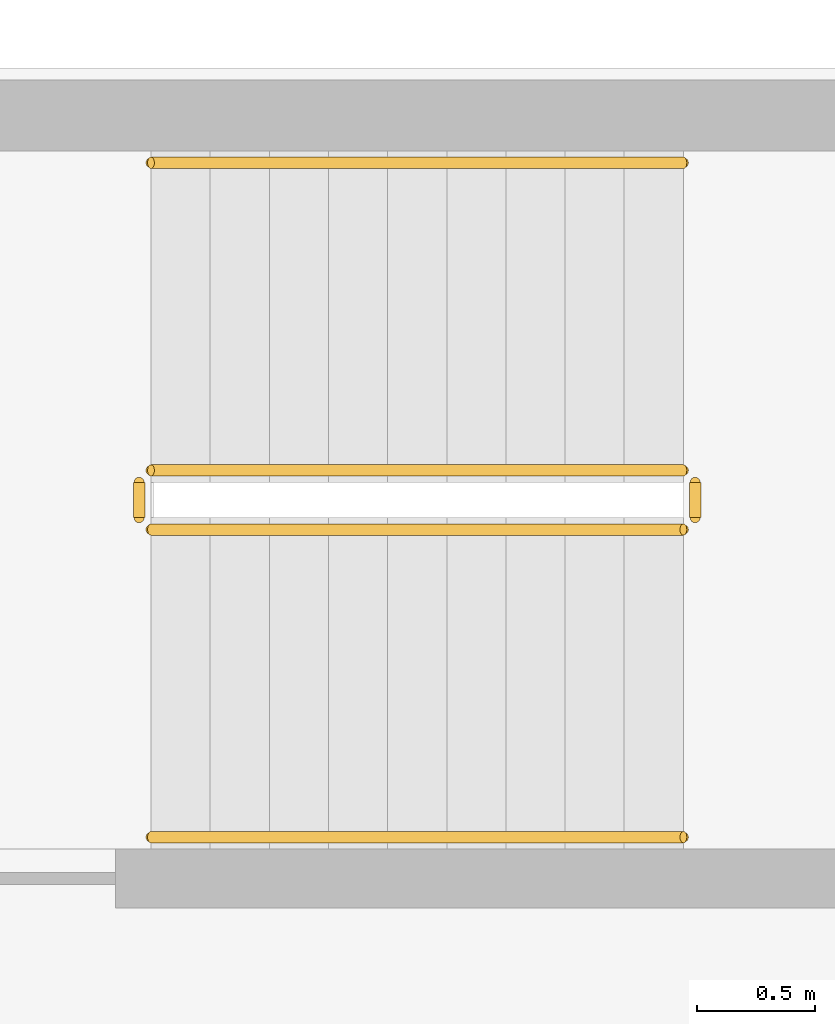
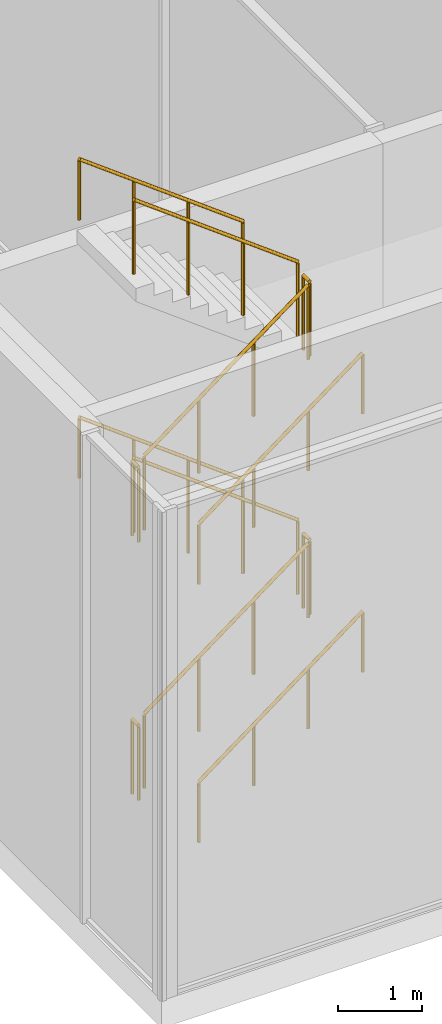
# One storey, part 17 of 18: 12 railings.
"""IFC4 building model written with IfcOpenShell, lengths in metres."""

from ifc_helpers import new_model, si_unit, direction, frame, origin, origin_2d, place, context, subcontext, project, spatial, circle, extrude, source, transform, mapped, material, type_object, element, save


model = new_model("IFC4")

# Units and contexts
model_context = context("Model", 3, precision=1e-05, world=origin(), true_north=direction((0.0, 1.0)))
body_context = subcontext(model_context, "Body", "Model", "MODEL_VIEW")
ifc_project = project(units=[si_unit("LENGTHUNIT", "METRE"), si_unit("AREAUNIT", "SQUARE_METRE"), si_unit("VOLUMEUNIT", "CUBIC_METRE"), si_unit("PLANEANGLEUNIT", "RADIAN"), si_unit("MASSUNIT", "GRAM", prefix="KILO")], contexts=[model_context])

# Site, building, storey
site_placement = place(None, origin())
site = spatial("IfcSite", under=ifc_project, at=site_placement, CompositionType="ELEMENT")
building_placement = place(site_placement, origin())
building = spatial("IfcBuilding", under=site, at=building_placement, Name="Aurelian Terraces", CompositionType="ELEMENT")
storey_placement = place(building_placement, frame((0.0, 0.0, 170.3)))
storey = spatial("IfcBuildingStorey", under=building, at=storey_placement, Name="L37", CompositionType="ELEMENT", Elevation=170.3)

# Railings
ifc_material = material(Name="Stainless steel", Category="steel")
railing_type_1 = type_object("IfcRailingType", Name="Stair guard 1100", PredefinedType="GUARDRAIL", material=ifc_material)
shared_shape_1 = source(origin(), body_context, "Body", "SweptSolid", [
    extrude(circle(Radius=0.024, at=origin_2d()), frame((0.0, 0.0, 1.076), z_axis=(0.0, 1.0, 0.0), x_axis=(-1.0, 0.0, 0.0)), (0.0, 0.0, 1.0), 0.15),
    extrude(circle(Radius=0.021, at=origin_2d()), origin(), (0.0, 0.0, 1.0), 1.052),
    extrude(circle(Radius=0.021, at=origin_2d()), frame((0.0, 0.15, 0.0)), (0.0, 0.0, 1.0), 1.052),
])
for number, where, name in (
    (1, (4.4, 42.05, 1.875), "L37 S3 stair guard 2"),
    (2, (2.05, 42.05, 3.75), "L37 S3 stair guard 4"),
    (3, (4.4, 42.05, 5.625), "L37 S3 stair guard 6"),
    (4, (2.05, 42.05, 0.0), "L37 S3 stair guard 8"),
):
    element("IfcRailing", number, at=place(storey_placement, frame(where)), inside=storey, type_object=railing_type_1, Name=name, PredefinedType="GUARDRAIL", context=body_context, shape_type="MappedRepresentation", body=[
        mapped(shared_shape_1, transform((0.0, 0.0, 0.0), scale=1.0)),
    ])
shared_shape_2 = source(origin(), body_context, "Body", "SweptSolid", [
    extrude(circle(Radius=0.024, at=origin_2d()), frame((0.0, 0.0, 1.076), z_axis=(0.8, 0.0, 0.6), x_axis=(0.0, 1.0, 0.0)), (0.0, 0.0, 1.0), 2.8125),
    extrude(circle(Radius=0.021, at=origin_2d()), origin(), (0.0, 0.0, 1.0), 1.052),
    extrude(circle(Radius=0.021, at=origin_2d()), frame((0.75, 0.0, 0.5625)), (0.0, 0.0, 1.0), 1.052),
    extrude(circle(Radius=0.021, at=origin_2d()), frame((1.5, 0.0, 1.125)), (0.0, 0.0, 1.0), 1.052),
    extrude(circle(Radius=0.021, at=origin_2d()), frame((2.25, 0.0, 1.6875)), (0.0, 0.0, 1.0), 1.052),
])
for number, where, name in (
    (5, (2.1, 42.0, 0.1875), "L37 S3 stair guard 1"),
    (6, (2.1, 42.0, 3.9375), "L37 S3 stair guard 5"),
):
    element("IfcRailing", number, at=place(storey_placement, frame(where)), inside=storey, type_object=railing_type_1, Name=name, PredefinedType="GUARDRAIL", context=body_context, shape_type="MappedRepresentation", body=[
        mapped(shared_shape_2, transform((0.0, 0.0, 0.0), scale=1.0)),
    ])
shared_shape_3 = source(origin(), body_context, "Body", "SweptSolid", [
    extrude(circle(Radius=0.024, at=origin_2d()), frame((0.0, 0.0, 1.076), z_axis=(-0.8, 0.0, 0.6), x_axis=(0.0, -1.0, 0.0)), (0.0, 0.0, 1.0), 2.8125),
    extrude(circle(Radius=0.021, at=origin_2d()), origin(), (0.0, 0.0, 1.0), 1.052),
    extrude(circle(Radius=0.021, at=origin_2d()), frame((-0.75, 0.0, 0.5625)), (0.0, 0.0, 1.0), 1.052),
    extrude(circle(Radius=0.021, at=origin_2d()), frame((-1.5, 0.0, 1.125)), (0.0, 0.0, 1.0), 1.052),
    extrude(circle(Radius=0.021, at=origin_2d()), frame((-2.25, 0.0, 1.6875)), (0.0, 0.0, 1.0), 1.052),
])
for number, where, name in (
    (7, (4.35, 42.25, 2.0625), "L37 S3 stair guard 3"),
    (8, (4.35, 42.25, 5.8125), "L37 S3 stair guard 7"),
):
    element("IfcRailing", number, at=place(storey_placement, frame(where)), inside=storey, type_object=railing_type_1, Name=name, PredefinedType="GUARDRAIL", context=body_context, shape_type="MappedRepresentation", body=[
        mapped(shared_shape_3, transform((0.0, 0.0, 0.0), scale=1.0)),
    ])
railing_type_2 = type_object("IfcRailingType", Name="Stair handrail", PredefinedType="HANDRAIL", material=ifc_material)
shared_shape_4 = source(origin(), body_context, "Body", "SweptSolid", [
    extrude(circle(Radius=0.024, at=origin_2d()), frame((0.0, 0.0, 0.876), z_axis=(0.8, 0.0, 0.6), x_axis=(0.0, 1.0, 0.0)), (0.0, 0.0, 1.0), 2.8125),
    extrude(circle(Radius=0.021, at=origin_2d()), origin(), (0.0, 0.0, 1.0), 0.852),
    extrude(circle(Radius=0.021, at=origin_2d()), frame((0.75, 0.0, 0.5625)), (0.0, 0.0, 1.0), 0.852),
    extrude(circle(Radius=0.021, at=origin_2d()), frame((1.5, 0.0, 1.125)), (0.0, 0.0, 1.0), 0.852),
    extrude(circle(Radius=0.021, at=origin_2d()), frame((2.25, 0.0, 1.6875)), (0.0, 0.0, 1.0), 0.852),
])
for number, where, name in (
    (9, (2.1, 40.7, 0.1875), "L37 S3 stair handrail 1"),
    (10, (2.1, 40.7, 3.9375), "L37 S3 stair handrail 3"),
):
    element("IfcRailing", number, at=place(storey_placement, frame(where)), inside=storey, type_object=railing_type_2, Name=name, PredefinedType="HANDRAIL", context=body_context, shape_type="MappedRepresentation", body=[
        mapped(shared_shape_4, transform((0.0, 0.0, 0.0), scale=1.0)),
    ])
shared_shape_5 = source(origin(), body_context, "Body", "SweptSolid", [
    extrude(circle(Radius=0.024, at=origin_2d()), frame((0.0, 0.0, 0.876), z_axis=(-0.8, 0.0, 0.6), x_axis=(0.0, -1.0, 0.0)), (0.0, 0.0, 1.0), 2.8125),
    extrude(circle(Radius=0.021, at=origin_2d()), origin(), (0.0, 0.0, 1.0), 0.852),
    extrude(circle(Radius=0.021, at=origin_2d()), frame((-0.75, 0.0, 0.5625)), (0.0, 0.0, 1.0), 0.852),
    extrude(circle(Radius=0.021, at=origin_2d()), frame((-1.5, 0.0, 1.125)), (0.0, 0.0, 1.0), 0.852),
    extrude(circle(Radius=0.021, at=origin_2d()), frame((-2.25, 0.0, 1.6875)), (0.0, 0.0, 1.0), 0.852),
])
for number, where, name in (
    (11, (4.35, 43.55, 2.0625), "L37 S3 stair handrail 2"),
    (12, (4.35, 43.55, 5.8125), "L37 S3 stair handrail 4"),
):
    element("IfcRailing", number, at=place(storey_placement, frame(where)), inside=storey, type_object=railing_type_2, Name=name, PredefinedType="HANDRAIL", context=body_context, shape_type="MappedRepresentation", body=[
        mapped(shared_shape_5, transform((0.0, 0.0, 0.0), scale=1.0)),
    ])

save(model, "model.ifc")
